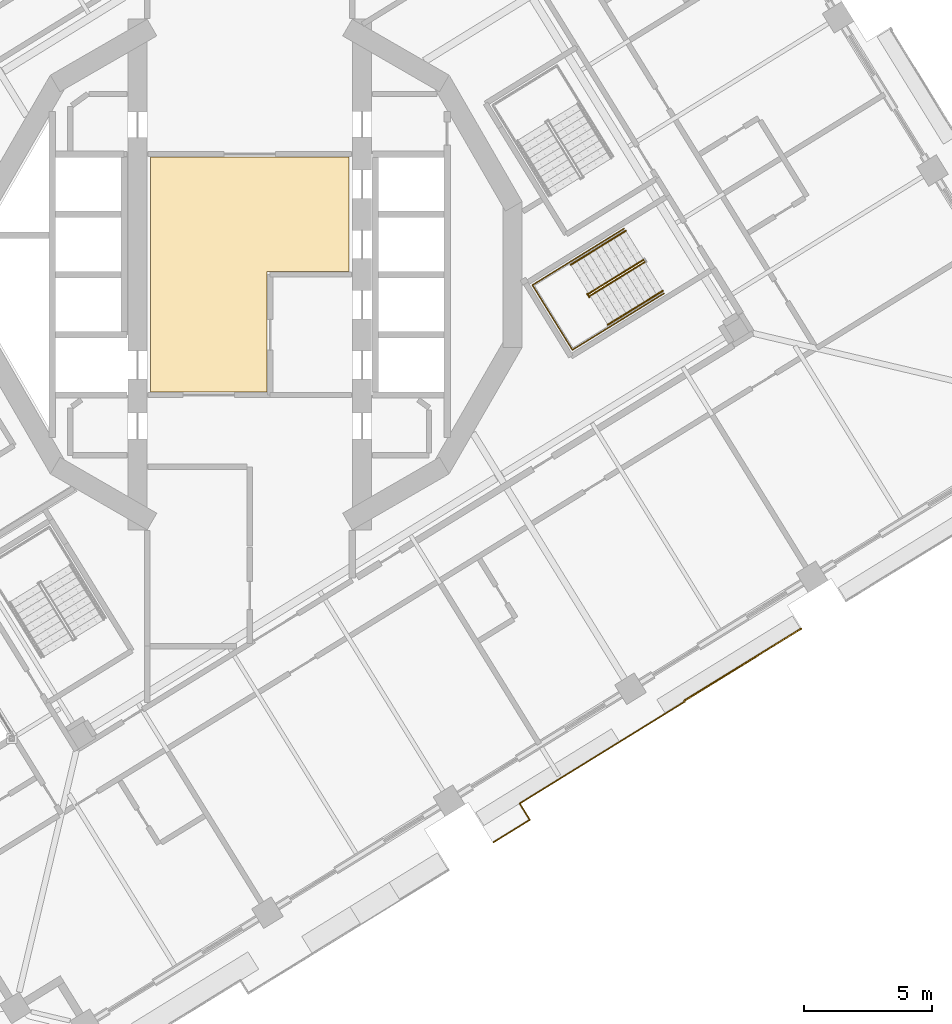
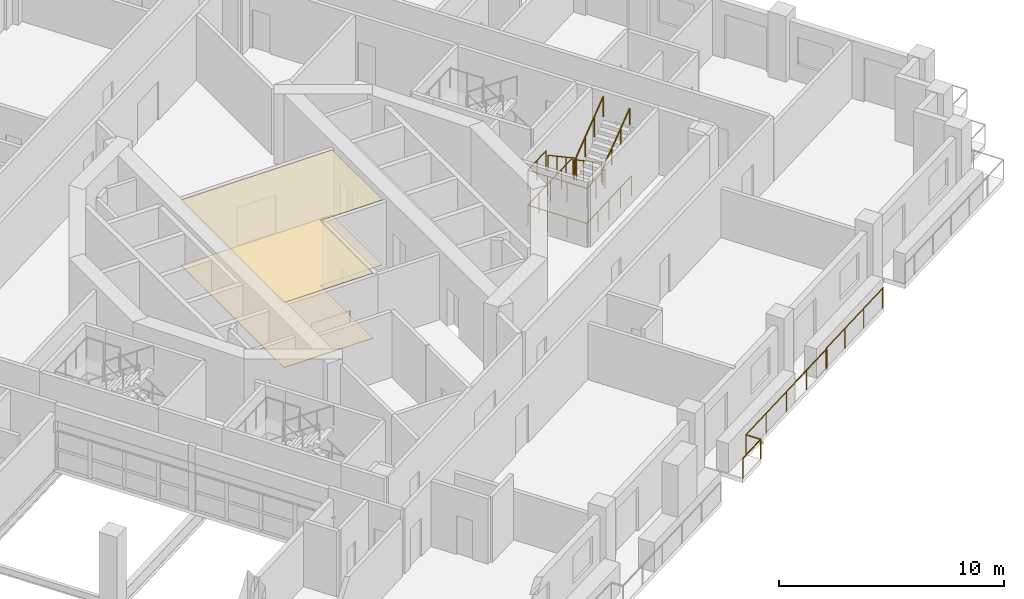
# One storey, part 17 of 22: 8 railings, 2 coverings.
"""IFC4 building model written with IfcOpenShell, lengths in metres."""

from ifc_helpers import new_model, si_unit, direction, frame, origin, origin_2d, place, context, subcontext, project, spatial, polyline, circle, outline, extrude, material, layer, layer_set, type_object, element, save


model = new_model("IFC4")

# Units and contexts
model_context = context("Model", 3, precision=1e-05, world=origin(), true_north=direction((0.0, 1.0)))
body_context = subcontext(model_context, "Body", "Model", "MODEL_VIEW")
ifc_project = project(units=[si_unit("LENGTHUNIT", "METRE"), si_unit("AREAUNIT", "SQUARE_METRE"), si_unit("VOLUMEUNIT", "CUBIC_METRE"), si_unit("PLANEANGLEUNIT", "RADIAN"), si_unit("MASSUNIT", "GRAM", prefix="KILO")], contexts=[model_context])

# Site, building, storey
site_placement = place(None, origin())
site = spatial("IfcSite", under=ifc_project, at=site_placement, CompositionType="ELEMENT")
building_placement = place(site_placement, origin())
building = spatial("IfcBuilding", under=site, at=building_placement, Name="Cantera Rosa Tower", CompositionType="ELEMENT")
storey_placement = place(building_placement, frame((0.0, 0.0, 162.800048828125)))
storey = spatial("IfcBuildingStorey", under=building, at=storey_placement, Name="L35", CompositionType="ELEMENT", Elevation=162.800048828125)

# Railings
ifc_material_1 = material(Name="Stainless steel and laminated glass", Category="steel")
railing_type_1 = type_object("IfcRailingType", Name="GUARD 1100", PredefinedType="BALUSTRADE", material=ifc_material_1)
railing_1_placement = place(storey_placement, frame((16.9736328125, -16.659912109375, 0.0)))
element("IfcRailing", 1, at=railing_1_placement, inside=storey, type_object=railing_type_1, Name="GUARD L35-8", PredefinedType="BALUSTRADE", context=body_context, shape_type="SweptSolid", body=[
    extrude(circle(Radius=0.030029296875, at=origin_2d()), frame((0.0, 0.0, 1.070068359375), z_axis=(-0.851125237565, -0.524962693893, 0.0), x_axis=(0.524962693893, -0.851125237565, 0.0)), (0.0, 0.0, 1.0), 7.56982421875),
    extrude(circle(Radius=0.030029296875, at=origin_2d()), frame((-6.44287109375, -3.973876953125, 1.070068359375), z_axis=(0.525077247335, -0.851054571888, 0.0), x_axis=(0.851054571888, 0.525077247335, 0.0)), (0.0, 0.0, 1.0), 0.75048828125),
    extrude(circle(Radius=0.030029296875, at=origin_2d()), frame((-6.048828125, -4.612548828125, 1.070068359375), z_axis=(-0.851097514254, -0.525007639212, 0.0), x_axis=(0.525007639212, -0.851097514254, 0.0)), (0.0, 0.0, 1.0), 1.66064453125),
    extrude(circle(Radius=0.02490234375, at=origin_2d()), origin(), (0.0, 0.0, 1.0), 1.0400390625),
    extrude(circle(Radius=0.02490234375, at=origin_2d()), frame((-1.61083984375, -0.993408203125, 0.0)), (0.0, 0.0, 1.0), 1.0400390625),
    extrude(circle(Radius=0.02490234375, at=origin_2d()), frame((-3.221435546875, -1.98681640625, 0.0)), (0.0, 0.0, 1.0), 1.0400390625),
    extrude(circle(Radius=0.02490234375, at=origin_2d()), frame((-4.83203125, -2.98046875, 0.0)), (0.0, 0.0, 1.0), 1.0400390625),
    extrude(circle(Radius=0.02490234375, at=origin_2d()), frame((-6.44287109375, -3.973876953125, 0.0)), (0.0, 0.0, 1.0), 1.0400390625),
    extrude(circle(Radius=0.02490234375, at=origin_2d()), frame((-6.048828125, -4.612548828125, 0.0)), (0.0, 0.0, 1.0), 1.0400390625),
    extrude(circle(Radius=0.02490234375, at=origin_2d()), frame((-7.462158203125, -5.484375, 0.0)), (0.0, 0.0, 1.0), 1.0400390625),
])
railing_2_placement = place(storey_placement, frame((21.505615234375, -13.817138671875, 0.0)))
element("IfcRailing", 2, at=railing_2_placement, inside=storey, type_object=railing_type_1, Name="GUARD L35-9", PredefinedType="BALUSTRADE", context=body_context, shape_type="SweptSolid", body=[
    extrude(circle(Radius=0.030029296875, at=origin_2d()), frame((0.0, 0.0, 1.070068359375), z_axis=(-0.850339408664, -0.52623463405, 0.0), x_axis=(0.52623463405, -0.850339408664, 0.0)), (0.0, 0.0, 1.0), 0.070068359375),
    extrude(circle(Radius=0.030029296875, at=origin_2d()), frame((-0.0595703125, -0.036865234375, 1.070068359375), z_axis=(-0.851116462586, -0.524976920555, 0.0), x_axis=(0.524976920555, -0.851116462586, 0.0)), (0.0, 0.0, 1.0), 5.27978515625),
    extrude(circle(Radius=0.030029296875, at=origin_2d()), frame((-4.55322265625, -2.80859375, 1.070068359375), z_axis=(0.527815847616, -0.849358835243, 0.0), x_axis=(0.849358835243, 0.527815847616, 0.0)), (0.0, 0.0, 1.0), 0.040283203125),
    extrude(circle(Radius=0.02490234375, at=origin_2d()), origin(), (0.0, 0.0, 1.0), 1.0400390625),
    extrude(circle(Radius=0.02490234375, at=origin_2d()), frame((-0.0595703125, -0.036865234375, 0.0)), (0.0, 0.0, 1.0), 1.0400390625),
    extrude(circle(Radius=0.02490234375, at=origin_2d()), frame((-1.557373046875, -0.960693359375, 0.0)), (0.0, 0.0, 1.0), 1.0400390625),
    extrude(circle(Radius=0.02490234375, at=origin_2d()), frame((-3.055419921875, -1.884765625, 0.0)), (0.0, 0.0, 1.0), 1.0400390625),
    extrude(circle(Radius=0.02490234375, at=origin_2d()), frame((-4.55322265625, -2.80859375, 0.0)), (0.0, 0.0, 1.0), 1.0400390625),
    extrude(circle(Radius=0.02490234375, at=origin_2d()), frame((-4.531982421875, -2.8427734375, 0.0)), (0.0, 0.0, 1.0), 1.0400390625),
])
ifc_material_2 = material(Name="Steel S355J2 (EN 10025-2)", Category="steel")
railing_type_2 = type_object("IfcRailingType", Name="STAIR GUARD 1100", PredefinedType="GUARDRAIL", material=ifc_material_2)
railing_3_placement = place(storey_placement, frame((15.36572265625, 0.57666015625, 0.18994140625)))
element("IfcRailing", 3, at=railing_3_placement, inside=storey, type_object=railing_type_2, Name="L35 ST-34 stair guard 1", PredefinedType="GUARDRAIL", context=body_context, shape_type="SweptSolid", body=[
    extrude(circle(Radius=0.02392578125, at=origin_2d()), frame((0.0, 0.0, 1.076171875), z_axis=(-0.704271375033, -0.434427613125, 0.561493080334), x_axis=(0.524999832248, -0.851102330005, 0.0)), (0.0, 0.0, 1.0), 3.04541015625),
    extrude(circle(Radius=0.02392578125, at=origin_2d()), frame((-2.144775390625, -1.322998046875, 2.7861328125), z_axis=(-0.997279572494, -0.073711968402, 0.0), x_axis=(0.073711968402, -0.997279572494, 0.0)), (0.0, 0.0, 1.0), 0.056396484375),
    extrude(circle(Radius=0.02392578125, at=origin_2d()), frame((-2.200927734375, -1.3271484375, 2.7861328125), z_axis=(0.525458245725, -0.850819388589, 0.0), x_axis=(0.850819388589, 0.525458245725, 0.0)), (0.0, 0.0, 1.0), 0.150146484375),
    extrude(circle(Radius=0.02099609375, at=origin_2d()), origin(), (0.0, 0.0, 1.0), 1.052001953125),
    extrude(circle(Radius=0.02099609375, at=origin_2d()), frame((-0.71484375, -0.44091796875, 0.570068359375)), (0.0, 0.0, 1.0), 1.052001953125),
    extrude(circle(Radius=0.02099609375, at=origin_2d()), frame((-1.429931640625, -0.882080078125, 1.139892578125)), (0.0, 0.0, 1.0), 1.052001953125),
    extrude(circle(Radius=0.02099609375, at=origin_2d()), frame((-2.144775390625, -1.322998046875, 1.7099609375)), (0.0, 0.0, 1.0), 1.052001953125),
    extrude(circle(Radius=0.02099609375, at=origin_2d()), frame((-2.200927734375, -1.3271484375, 1.7099609375)), (0.0, 0.0, 1.0), 1.052001953125),
    extrude(circle(Radius=0.02099609375, at=origin_2d()), frame((-2.1220703125, -1.454833984375, 1.7099609375)), (0.0, 0.0, 1.0), 1.052001953125),
])
railing_4_placement = place(storey_placement, frame((13.2724609375, -0.82958984375, 2.08984375)))
element("IfcRailing", 4, at=railing_4_placement, inside=storey, type_object=railing_type_2, Name="L35 ST-34 stair guard 2", PredefinedType="GUARDRAIL", context=body_context, shape_type="SweptSolid", body=[
    extrude(circle(Radius=0.02392578125, at=origin_2d()), frame((0.0, 0.0, 1.076171875), z_axis=(0.704264196543, 0.434343018426, 0.561567523823), x_axis=(-0.524929648476, 0.851145618652, 0.0)), (0.0, 0.0, 1.0), 3.04541015625),
    extrude(circle(Radius=0.02099609375, at=origin_2d()), origin(), (0.0, 0.0, 1.0), 1.052001953125),
    extrude(circle(Radius=0.02099609375, at=origin_2d()), frame((0.71484375, 0.44091796875, 0.570068359375)), (0.0, 0.0, 1.0), 1.052001953125),
    extrude(circle(Radius=0.02099609375, at=origin_2d()), frame((1.429931640625, 0.8818359375, 1.14013671875)), (0.0, 0.0, 1.0), 1.052001953125),
    extrude(circle(Radius=0.02099609375, at=origin_2d()), frame((2.144775390625, 1.32275390625, 1.710205078125)), (0.0, 0.0, 1.0), 1.052001953125),
])
railing_5_placement = place(storey_placement, frame((14.601806640625, 1.79248046875, 0.0)))
element("IfcRailing", 5, at=railing_5_placement, inside=storey, type_object=railing_type_2, Name="L35 ST-34 stair guard 4", PredefinedType="GUARDRAIL", context=body_context, shape_type="SweptSolid", body=[
    extrude(circle(Radius=0.02392578125, at=origin_2d()), frame((0.0, 0.0, 1.076171875), z_axis=(-0.851116735059, -0.524976478809, 0.0), x_axis=(0.524976478809, -0.851116735059, 0.0)), (0.0, 0.0, 1.0), 4.197998046875),
    extrude(circle(Radius=0.02392578125, at=origin_2d()), frame((-3.572998046875, -2.203857421875, 1.076171875), z_axis=(0.524950242429, -0.851132917336, 0.0), x_axis=(0.851132917336, 0.524950242429, 0.0)), (0.0, 0.0, 1.0), 2.969970703125),
    extrude(circle(Radius=0.02392578125, at=origin_2d()), frame((-2.013916015625, -4.731689453125, 1.076171875), z_axis=(0.851116735059, 0.524976478809, 0.0), x_axis=(-0.524976478809, 0.851116735059, 0.0)), (0.0, 0.0, 1.0), 4.197998046875),
    extrude(circle(Radius=0.02099609375, at=origin_2d()), origin(), (0.0, 0.0, 1.0), 1.052001953125),
    extrude(circle(Radius=0.02099609375, at=origin_2d()), frame((-0.893310546875, -0.551025390625, 0.0)), (0.0, 0.0, 1.0), 1.052001953125),
    extrude(circle(Radius=0.02099609375, at=origin_2d()), frame((-1.78662109375, -1.10205078125, 0.0)), (0.0, 0.0, 1.0), 1.052001953125),
    extrude(circle(Radius=0.02099609375, at=origin_2d()), frame((-2.6796875, -1.65283203125, 0.0)), (0.0, 0.0, 1.0), 1.052001953125),
    extrude(circle(Radius=0.02099609375, at=origin_2d()), frame((-3.572998046875, -2.203857421875, 0.0)), (0.0, 0.0, 1.0), 1.052001953125),
    extrude(circle(Radius=0.02099609375, at=origin_2d()), frame((-3.05322265625, -3.04638671875, 0.0)), (0.0, 0.0, 1.0), 1.052001953125),
    extrude(circle(Radius=0.02099609375, at=origin_2d()), frame((-2.53369140625, -3.88916015625, 0.0)), (0.0, 0.0, 1.0), 1.052001953125),
    extrude(circle(Radius=0.02099609375, at=origin_2d()), frame((-2.013916015625, -4.731689453125, 0.0)), (0.0, 0.0, 1.0), 1.052001953125),
    extrude(circle(Radius=0.02099609375, at=origin_2d()), frame((-1.12060546875, -4.1806640625, 0.0)), (0.0, 0.0, 1.0), 1.052001953125),
    extrude(circle(Radius=0.02099609375, at=origin_2d()), frame((-0.2275390625, -3.6298828125, 0.0)), (0.0, 0.0, 1.0), 1.052001953125),
    extrude(circle(Radius=0.02099609375, at=origin_2d()), frame((0.665771484375, -3.078857421875, 0.0)), (0.0, 0.0, 1.0), 1.052001953125),
    extrude(circle(Radius=0.02099609375, at=origin_2d()), frame((1.55908203125, -2.52783203125, 0.0)), (0.0, 0.0, 1.0), 1.052001953125),
])
railing_6_placement = place(storey_placement, frame((12.477294921875, 0.482177734375, 1.89990234375)))
element("IfcRailing", 6, at=railing_6_placement, inside=storey, type_object=railing_type_2, Name="L35 ST-34 stair guard 5", PredefinedType="GUARDRAIL", context=body_context, shape_type="SweptSolid", body=[
    extrude(circle(Radius=0.02392578125, at=origin_2d()), frame((0.0, 0.0, 1.076171875), z_axis=(-0.851086474909, -0.525025534833, 0.0), x_axis=(0.525025534833, -0.851086474909, 0.0)), (0.0, 0.0, 1.0), 1.701904296875),
    extrude(circle(Radius=0.02392578125, at=origin_2d()), frame((-1.448486328125, -0.8935546875, 1.076171875), z_axis=(0.524950242429, -0.851132917336, 0.0), x_axis=(0.851132917336, 0.524950242429, 0.0)), (0.0, 0.0, 1.0), 2.969970703125),
    extrude(circle(Radius=0.02392578125, at=origin_2d()), frame((0.110595703125, -3.42138671875, 1.076171875), z_axis=(0.851126009811, 0.524961441845, 0.0), x_axis=(-0.524961441845, 0.851126009811, 0.0)), (0.0, 0.0, 1.0), 1.7021484375),
    extrude(circle(Radius=0.02099609375, at=origin_2d()), origin(), (0.0, 0.0, 1.0), 1.052001953125),
    extrude(circle(Radius=0.02099609375, at=origin_2d()), frame((-0.72412109375, -0.44677734375, 0.0)), (0.0, 0.0, 1.0), 1.052001953125),
    extrude(circle(Radius=0.02099609375, at=origin_2d()), frame((-1.448486328125, -0.8935546875, 0.0)), (0.0, 0.0, 1.0), 1.052001953125),
    extrude(circle(Radius=0.02099609375, at=origin_2d()), frame((-0.9287109375, -1.736083984375, 0.0)), (0.0, 0.0, 1.0), 1.052001953125),
    extrude(circle(Radius=0.02099609375, at=origin_2d()), frame((-0.4091796875, -2.578857421875, 0.0)), (0.0, 0.0, 1.0), 1.052001953125),
    extrude(circle(Radius=0.02099609375, at=origin_2d()), frame((0.110595703125, -3.42138671875, 0.0)), (0.0, 0.0, 1.0), 1.052001953125),
    extrude(circle(Radius=0.02099609375, at=origin_2d()), frame((0.8349609375, -2.974609375, 0.0)), (0.0, 0.0, 1.0), 1.052001953125),
    extrude(circle(Radius=0.02099609375, at=origin_2d()), frame((1.559326171875, -2.52783203125, 0.0)), (0.0, 0.0, 1.0), 1.052001953125),
])
ifc_material_3 = material(Name="Steel S355J2 (EN 10025-2)", Category="steel")
railing_type_3 = type_object("IfcRailingType", Name="STAIR HANDRAIL 900", PredefinedType="HANDRAIL", material=ifc_material_3)
railing_7_placement = place(storey_placement, frame((14.669677734375, 1.705322265625, 0.18994140625)))
element("IfcRailing", 7, at=railing_7_placement, inside=storey, type_object=railing_type_3, Name="L35 ST-34 stair handrail 1", PredefinedType="HANDRAIL", context=body_context, shape_type="SweptSolid", body=[
    extrude(circle(Radius=0.02392578125, at=origin_2d()), frame((0.0, 0.0, 0.8759765625), z_axis=(-0.704271375033, -0.434427613125, 0.561493080334), x_axis=(0.524999832248, -0.851102330005, 0.0)), (0.0, 0.0, 1.0), 3.04541015625),
    extrude(circle(Radius=0.02099609375, at=origin_2d()), origin(), (0.0, 0.0, 1.0), 0.851806640625),
    extrude(circle(Radius=0.02099609375, at=origin_2d()), frame((-0.71484375, -0.44091796875, 0.570068359375)), (0.0, 0.0, 1.0), 0.851806640625),
    extrude(circle(Radius=0.02099609375, at=origin_2d()), frame((-1.429931640625, -0.882080078125, 1.139892578125)), (0.0, 0.0, 1.0), 0.851806640625),
    extrude(circle(Radius=0.02099609375, at=origin_2d()), frame((-2.144775390625, -1.322998046875, 1.7099609375)), (0.0, 0.0, 1.0), 0.851806640625),
])
railing_8_placement = place(storey_placement, frame((13.968505859375, -1.958251953125, 2.08984375)))
element("IfcRailing", 8, at=railing_8_placement, inside=storey, type_object=railing_type_3, Name="L35 ST-34 stair handrail 2", PredefinedType="HANDRAIL", context=body_context, shape_type="SweptSolid", body=[
    extrude(circle(Radius=0.02392578125, at=origin_2d()), frame((0.0, 0.0, 0.8759765625), z_axis=(0.704280076098, 0.434383534302, 0.561516268276), x_axis=(-0.524956545799, 0.851129029597, 0.0)), (0.0, 0.0, 1.0), 3.045654296875),
    extrude(circle(Radius=0.02099609375, at=origin_2d()), origin(), (0.0, 0.0, 1.0), 0.851806640625),
    extrude(circle(Radius=0.02099609375, at=origin_2d()), frame((0.715087890625, 0.44091796875, 0.570068359375)), (0.0, 0.0, 1.0), 0.851806640625),
    extrude(circle(Radius=0.02099609375, at=origin_2d()), frame((1.429931640625, 0.882080078125, 1.14013671875)), (0.0, 0.0, 1.0), 0.851806640625),
    extrude(circle(Radius=0.02099609375, at=origin_2d()), frame((2.14501953125, 1.322998046875, 1.710205078125)), (0.0, 0.0, 1.0), 0.851806640625),
])

# Coverings
ifc_material_4 = material(Name="Limestone paving", Category="masonry")
ifc_layer_1 = layer(ifc_material_4, 0.02490234375)
ifc_layer_set_1 = layer_set([ifc_layer_1], Name="STONE FLOOR FINISH 25")
covering_type_1 = type_object("IfcCoveringType", Name="STONE FLOOR FINISH 25", PredefinedType="FLOORING", material=ifc_layer_set_1)
covering_1_placement = place(storey_placement, origin())
element("IfcCovering", 9, at=covering_1_placement, inside=storey, type_object=covering_type_1, Name="STONE FLOOR FINISH L35", PredefinedType="FLOORING", context=body_context, shape_type="SweptSolid", body=[
    extrude(outline(polyline([(3.8798828125, 4.580078125), (3.8798828125, 0.1201171875), (0.679931640625, 0.1201171875), (0.679931640625, -4.580078125), (-3.8798828125, -4.580078125), (-3.8798828125, 4.580078125), (3.8798828125, 4.580078125)])), origin(), (0.0, 0.0, 1.0), 0.02490234375),
])
ifc_material_5 = material(Name="Gypsum ceiling tile")
ifc_layer_2 = layer(ifc_material_5, 0.030029296875)
ifc_layer_set_2 = layer_set([ifc_layer_2], Name="SUSPENDED CEILING 30")
covering_type_2 = type_object("IfcCoveringType", Name="SUSPENDED CEILING 30", PredefinedType="CEILING", material=ifc_layer_set_2)
covering_2_placement = place(storey_placement, frame((0.0, 0.0, 3.52001953125)))
element("IfcCovering", 10, at=covering_2_placement, inside=storey, type_object=covering_type_2, Name="SUSPENDED CEILING L35", PredefinedType="CEILING", context=body_context, shape_type="SweptSolid", body=[
    extrude(outline(polyline([(3.8798828125, 4.580078125), (3.8798828125, 0.1201171875), (0.679931640625, 0.1201171875), (0.679931640625, -4.580078125), (-3.8798828125, -4.580078125), (-3.8798828125, 4.580078125), (3.8798828125, 4.580078125)])), origin(), (0.0, 0.0, 1.0), 0.030029296875),
])

save(model, "model.ifc")
